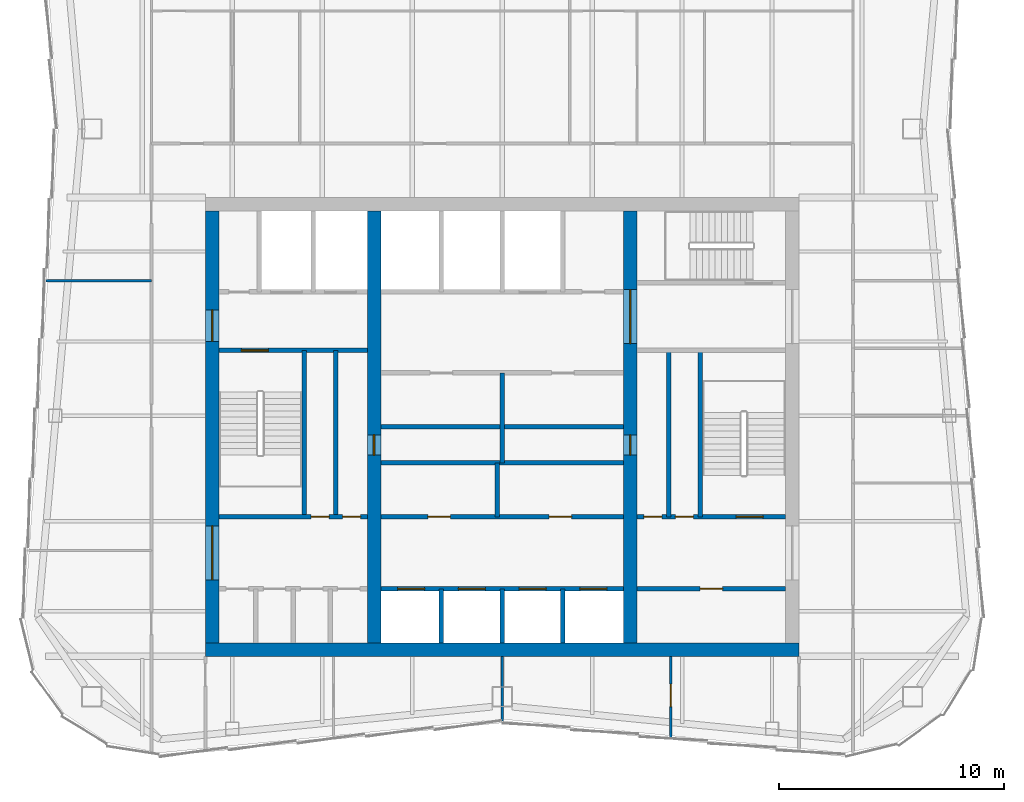
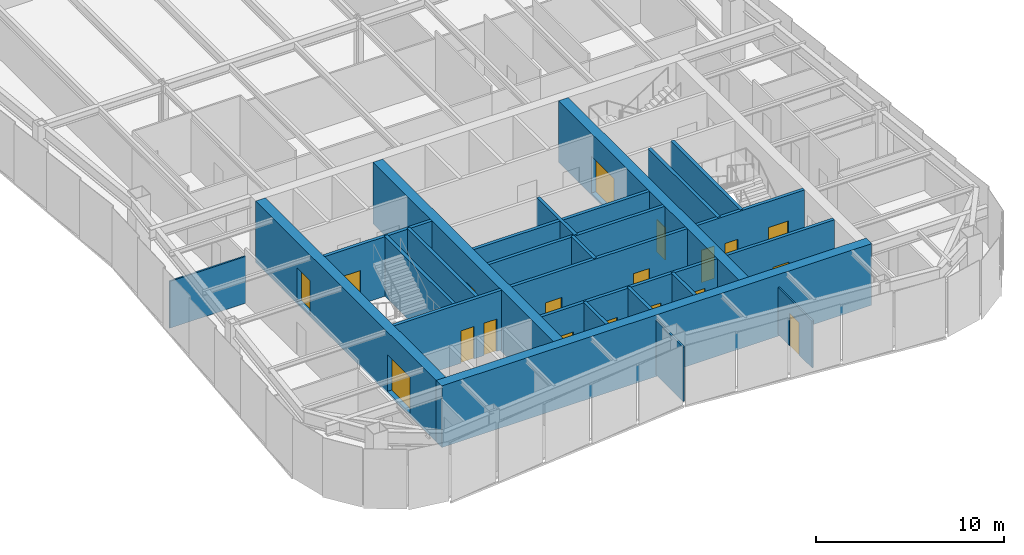
# One storey, part 6 of 11: 24 walls, 19 doors, 19 openings.
"""IFC4 building model written with IfcOpenShell, lengths in metres."""

from ifc_helpers import new_model, si_unit, direction, frame, frame_2d, origin, place, context, subcontext, project, spatial, rectangle, extrude, material, layer, layer_set, type_object, element, fill, save


model = new_model("IFC4")

# Units and contexts
model_context = context("Model", 3, precision=1e-05, world=origin(), true_north=direction((0.0, 1.0)))
body_context = subcontext(model_context, "Body", "Model", "MODEL_VIEW")
ifc_project = project(units=[si_unit("LENGTHUNIT", "METRE"), si_unit("AREAUNIT", "SQUARE_METRE"), si_unit("VOLUMEUNIT", "CUBIC_METRE"), si_unit("PLANEANGLEUNIT", "RADIAN"), si_unit("MASSUNIT", "GRAM", prefix="KILO")], contexts=[model_context])

# Site, building, storey
site_placement = place(None, origin())
site = spatial("IfcSite", under=ifc_project, at=site_placement, CompositionType="ELEMENT")
building_placement = place(site_placement, origin())
building = spatial("IfcBuilding", under=site, at=building_placement, Name="Verdant Reach Tower", CompositionType="ELEMENT")
storey_placement = place(building_placement, frame((0.0, 0.0, 298.0)))
storey = spatial("IfcBuildingStorey", under=building, at=storey_placement, Name="L68", CompositionType="ELEMENT", Elevation=298.0)

# Wall, opening, door
ifc_material_1 = material(Name="Gypsum board on steel studs", Category="steel")
ifc_layer_1 = layer(ifc_material_1, 0.199951171875)
ifc_layer_set_1 = layer_set([ifc_layer_1], Name="CO-WALL-ROOM")
wall_type_1 = type_object("IfcWallType", Name="CO-WALL-ROOM", PredefinedType="PARTITIONING", material=ifc_layer_set_1)
wall_1_placement = place(storey_placement, frame((6.0, 20.800048828125, 0.0), z_axis=(0.0, 0.0, 1.0), x_axis=(1.0, 0.0, 0.0)))
wall_1 = element("IfcWall", 1, at=wall_1_placement, inside=storey, type_object=wall_type_1, Name="Core partition, L68", PredefinedType="PARTITIONING", context=body_context, shape_type="SweptSolid", body=[
    extrude(rectangle(XDim=6.60009765625, YDim=0.199951171875, at=frame_2d((3.300048828125, 0.0))), origin(), (0.0, 0.0, 1.0), 3.8701171875),
])
opening_1_placement = place(wall_1_placement, frame((2.800048828125, 0.0, 0.0)))
opening_1 = element("IfcOpeningElement", 2, at=opening_1_placement, cuts=wall_1, Name="Opening CD", PredefinedType="OPENING", context=body_context, shape_type="SweptSolid", body=[
    extrude(rectangle(XDim=1.0, YDim=2.10009765625, at=frame_2d((0.5, 1.050048828125))), frame((0.0, 0.10986328125, 0.0), z_axis=(0.0, -1.0, 0.0), x_axis=(1.0, 0.0, 0.0)), (0.0, 0.0, 1.0), 0.219970703125),
])
ifc_material_2 = material(Name="Timber", Category="wood")
door_type_1 = type_object("IfcDoorType", Name="CO-DOOR-ROOM", OperationType="NOTDEFINED", PredefinedType="DOOR", material=ifc_material_2)
door_1_placement = place(opening_1_placement, origin())
door_1 = element("IfcDoor", 3, at=door_1_placement, inside=storey, type_object=door_type_1, Name="Core room door, L68", OperationType="SINGLE_SWING_LEFT", OverallHeight=2.10009765625, OverallWidth=1.0, PredefinedType="DOOR", context=body_context, shape_type="SweptSolid", body=[
    extrude(rectangle(XDim=1.0, YDim=2.10009765625, at=frame_2d((0.5, 1.050048828125))), frame((0.0, 0.02490234375, 0.0), z_axis=(0.0, -1.0, 0.0), x_axis=(1.0, 0.0, 0.0)), (0.0, 0.0, 1.0), 0.050048828125),
])
fill(opening_1, door_1)

# Wall, openings, doors
wall_2_placement = place(storey_placement, frame((-5.39990234375, 24.0, 0.0), z_axis=(0.0, 0.0, 1.0), x_axis=(1.0, 0.0, 0.0)))
wall_2 = element("IfcWall", 4, at=wall_2_placement, inside=storey, type_object=wall_type_1, Name="Core partition, L68", PredefinedType="PARTITIONING", context=body_context, shape_type="SweptSolid", body=[
    extrude(rectangle(XDim=10.7998046875, YDim=0.199951171875, at=frame_2d((5.39990234375, 0.0))), origin(), (0.0, 0.0, 1.0), 3.8701171875),
])
opening_2_placement = place(wall_2_placement, frame((2.092041015625, 0.0, 0.0)))
opening_2 = element("IfcOpeningElement", 5, at=opening_2_placement, cuts=wall_2, Name="Opening CD", PredefinedType="OPENING", context=body_context, shape_type="SweptSolid", body=[
    extrude(rectangle(XDim=1.0, YDim=2.10009765625, at=frame_2d((0.5, 1.050048828125))), frame((0.0, 0.10986328125, 0.0), z_axis=(0.0, -1.0, 0.0), x_axis=(1.0, 0.0, 0.0)), (0.0, 0.0, 1.0), 0.219970703125),
])
opening_3_placement = place(wall_2_placement, frame((7.491943359375, 0.0, 0.0)))
opening_3 = element("IfcOpeningElement", 6, at=opening_3_placement, cuts=wall_2, Name="Opening CD", PredefinedType="OPENING", context=body_context, shape_type="SweptSolid", body=[
    extrude(rectangle(XDim=1.0, YDim=2.10009765625, at=frame_2d((0.5, 1.050048828125))), frame((0.0, 0.10986328125, 0.0), z_axis=(0.0, -1.0, 0.0), x_axis=(1.0, 0.0, 0.0)), (0.0, 0.0, 1.0), 0.219970703125),
])
door_2_placement = place(opening_2_placement, origin())
door_2 = element("IfcDoor", 7, at=door_2_placement, inside=storey, type_object=door_type_1, Name="Core room door, L68", OperationType="SINGLE_SWING_RIGHT", OverallHeight=2.10009765625, OverallWidth=1.0, PredefinedType="DOOR", context=body_context, shape_type="SweptSolid", body=[
    extrude(rectangle(XDim=1.0, YDim=2.10009765625, at=frame_2d((0.5, 1.050048828125))), frame((0.0, 0.02490234375, 0.0), z_axis=(0.0, -1.0, 0.0), x_axis=(1.0, 0.0, 0.0)), (0.0, 0.0, 1.0), 0.050048828125),
])
fill(opening_2, door_2)
door_3_placement = place(opening_3_placement, origin())
door_3 = element("IfcDoor", 8, at=door_3_placement, inside=storey, type_object=door_type_1, Name="Core room door, L68", OperationType="SINGLE_SWING_LEFT", OverallHeight=2.10009765625, OverallWidth=1.0, PredefinedType="DOOR", context=body_context, shape_type="SweptSolid", body=[
    extrude(rectangle(XDim=1.0, YDim=2.10009765625, at=frame_2d((0.5, 1.050048828125))), frame((0.0, 0.02490234375, 0.0), z_axis=(0.0, -1.0, 0.0), x_axis=(1.0, 0.0, 0.0)), (0.0, 0.0, 1.0), 0.050048828125),
])
fill(opening_3, door_3)

# Walls
for number, where, z_axis, x_axis, name in (
    (9, (-5.39990234375, 26.39990234375, 0.0), (0.0, 0.0, 1.0), (1.0, 0.0, 0.0), "Core partition, L68"),
    (10, (-5.39990234375, 28.0, 0.0), (0.0, 0.0, 1.0), (1.0, 0.0, 0.0), "Core partition, L68"),
):
    element("IfcWall", number, at=place(storey_placement, frame(where, z_axis=z_axis, x_axis=x_axis)), inside=storey, type_object=wall_type_1, Name=name, PredefinedType="PARTITIONING", context=body_context, shape_type="SweptSolid", body=[
        extrude(rectangle(XDim=10.7998046875, YDim=0.199951171875, at=frame_2d((5.39990234375, 0.0))), origin(), (0.0, 0.0, 1.0), 3.8701171875),
    ])
wall_3_placement = place(storey_placement, frame((-7.39990234375, 24.0, 0.0), z_axis=(0.0, 0.0, 1.0), x_axis=(0.0, 1.0, 0.0)))
element("IfcWall", 11, at=wall_3_placement, inside=storey, type_object=wall_type_1, Name="Core partition, L68", PredefinedType="PARTITIONING", context=body_context, shape_type="SweptSolid", body=[
    extrude(rectangle(XDim=7.39990234375, YDim=0.199951171875, at=frame_2d((3.699951171875, 0.0))), origin(), (0.0, 0.0, 1.0), 3.8701171875),
])
wall_4_placement = place(storey_placement, frame((-0.216064453125, 24.0, 0.0), z_axis=(0.0, 0.0, 1.0), x_axis=(0.0, 1.0, 0.0)))
element("IfcWall", 12, at=wall_4_placement, inside=storey, type_object=wall_type_1, Name="Core partition, L68", PredefinedType="PARTITIONING", context=body_context, shape_type="SweptSolid", body=[
    extrude(rectangle(XDim=2.39990234375, YDim=0.199951171875, at=frame_2d((1.199951171875, 0.0))), origin(), (0.0, 0.0, 1.0), 3.8701171875),
])
wall_5_placement = place(storey_placement, frame((0.0, 26.39990234375, 0.0), z_axis=(0.0, 0.0, 1.0), x_axis=(0.0, 1.0, 0.0)))
element("IfcWall", 13, at=wall_5_placement, inside=storey, type_object=wall_type_1, Name="Core partition, L68", PredefinedType="PARTITIONING", context=body_context, shape_type="SweptSolid", body=[
    extrude(rectangle(XDim=4.0, YDim=0.199951171875, at=frame_2d((2.0, 0.0))), origin(), (0.0, 0.0, 1.0), 3.8701171875),
])
wall_6_placement = place(storey_placement, frame((7.39990234375, 24.0, 0.0), z_axis=(0.0, 0.0, 1.0), x_axis=(0.0, 1.0, 0.0)))
element("IfcWall", 14, at=wall_6_placement, inside=storey, type_object=wall_type_1, Name="Core partition, L68", PredefinedType="PARTITIONING", context=body_context, shape_type="SweptSolid", body=[
    extrude(rectangle(XDim=7.39990234375, YDim=0.199951171875, at=frame_2d((3.699951171875, 0.0))), origin(), (0.0, 0.0, 1.0), 3.8701171875),
])

# Wall, openings, doors
ifc_material_3 = material(Name="Concrete C40/50", Category="concrete")
ifc_layer_2 = layer(ifc_material_3, 0.199951171875)
ifc_layer_set_2 = layer_set([ifc_layer_2], Name="CO-WALL-SHAFT")
wall_type_2 = type_object("IfcWallType", Name="CO-WALL-SHAFT", PredefinedType="PARTITIONING", material=ifc_layer_set_2)
wall_7_placement = place(storey_placement, frame((-5.39990234375, 20.800048828125, 0.0), z_axis=(0.0, 0.0, 1.0), x_axis=(1.0, 0.0, 0.0)))
wall_7 = element("IfcWall", 15, at=wall_7_placement, inside=storey, type_object=wall_type_2, Name="Lift shaft wall, L68", PredefinedType="PARTITIONING", context=body_context, shape_type="SweptSolid", body=[
    extrude(rectangle(XDim=10.7998046875, YDim=0.199951171875, at=frame_2d((5.39990234375, 0.0))), origin(), (0.0, 0.0, 1.0), 3.8701171875),
])
opening_4_placement = place(wall_7_placement, frame((0.75, 0.0, 0.0)))
opening_4 = element("IfcOpeningElement", 16, at=opening_4_placement, cuts=wall_7, Name="Opening LD-B1", PredefinedType="OPENING", context=body_context, shape_type="SweptSolid", body=[
    extrude(rectangle(XDim=1.199951171875, YDim=2.199951171875, at=frame_2d((0.60009765625, 1.10009765625))), frame((0.0, 0.10986328125, 0.0), z_axis=(0.0, -1.0, 0.0), x_axis=(1.0, 0.0, 0.0)), (0.0, 0.0, 1.0), 0.219970703125),
])
opening_5_placement = place(wall_7_placement, frame((3.449951171875, 0.0, 0.0)))
opening_5 = element("IfcOpeningElement", 17, at=opening_5_placement, cuts=wall_7, Name="Opening LD-B2", PredefinedType="OPENING", context=body_context, shape_type="SweptSolid", body=[
    extrude(rectangle(XDim=1.199951171875, YDim=2.199951171875, at=frame_2d((0.60009765625, 1.10009765625))), frame((0.0, 0.10986328125, 0.0), z_axis=(0.0, -1.0, 0.0), x_axis=(1.0, 0.0, 0.0)), (0.0, 0.0, 1.0), 0.219970703125),
])
opening_6_placement = place(wall_7_placement, frame((6.14990234375, 0.0, 0.0)))
opening_6 = element("IfcOpeningElement", 18, at=opening_6_placement, cuts=wall_7, Name="Opening LD-B3", PredefinedType="OPENING", context=body_context, shape_type="SweptSolid", body=[
    extrude(rectangle(XDim=1.199951171875, YDim=2.199951171875, at=frame_2d((0.60009765625, 1.10009765625))), frame((0.0, 0.10986328125, 0.0), z_axis=(0.0, -1.0, 0.0), x_axis=(1.0, 0.0, 0.0)), (0.0, 0.0, 1.0), 0.219970703125),
])
opening_7_placement = place(wall_7_placement, frame((8.85009765625, 0.0, 0.0)))
opening_7 = element("IfcOpeningElement", 19, at=opening_7_placement, cuts=wall_7, Name="Opening LD-B4", PredefinedType="OPENING", context=body_context, shape_type="SweptSolid", body=[
    extrude(rectangle(XDim=1.199951171875, YDim=2.199951171875, at=frame_2d((0.60009765625, 1.10009765625))), frame((0.0, 0.10986328125, 0.0), z_axis=(0.0, -1.0, 0.0), x_axis=(1.0, 0.0, 0.0)), (0.0, 0.0, 1.0), 0.219970703125),
])
ifc_material_4 = material(Name="Stainless steel", Category="steel")
door_type_2 = type_object("IfcDoorType", Name="CO-DOOR-LANDING", OperationType="SLIDING_TO_LEFT", PredefinedType="DOOR", material=ifc_material_4)
door_4_placement = place(opening_4_placement, origin())
door_4 = element("IfcDoor", 20, at=door_4_placement, inside=storey, type_object=door_type_2, Name="Landing door B1, L68", OperationType="SLIDING_TO_LEFT", OverallHeight=2.199951171875, OverallWidth=1.199951171875, PredefinedType="DOOR", context=body_context, shape_type="SweptSolid", body=[
    extrude(rectangle(XDim=1.199951171875, YDim=2.199951171875, at=frame_2d((0.60009765625, 1.10009765625))), frame((0.0, 0.02490234375, 0.0), z_axis=(0.0, -1.0, 0.0), x_axis=(1.0, 0.0, 0.0)), (0.0, 0.0, 1.0), 0.050048828125),
])
fill(opening_4, door_4)
door_5_placement = place(opening_5_placement, origin())
door_5 = element("IfcDoor", 21, at=door_5_placement, inside=storey, type_object=door_type_2, Name="Landing door B2, L68", OperationType="SLIDING_TO_LEFT", OverallHeight=2.199951171875, OverallWidth=1.199951171875, PredefinedType="DOOR", context=body_context, shape_type="SweptSolid", body=[
    extrude(rectangle(XDim=1.199951171875, YDim=2.199951171875, at=frame_2d((0.60009765625, 1.10009765625))), frame((0.0, 0.02490234375, 0.0), z_axis=(0.0, -1.0, 0.0), x_axis=(1.0, 0.0, 0.0)), (0.0, 0.0, 1.0), 0.050048828125),
])
fill(opening_5, door_5)
door_6_placement = place(opening_6_placement, origin())
door_6 = element("IfcDoor", 22, at=door_6_placement, inside=storey, type_object=door_type_2, Name="Landing door B3, L68", OperationType="SLIDING_TO_LEFT", OverallHeight=2.199951171875, OverallWidth=1.199951171875, PredefinedType="DOOR", context=body_context, shape_type="SweptSolid", body=[
    extrude(rectangle(XDim=1.199951171875, YDim=2.199951171875, at=frame_2d((0.60009765625, 1.10009765625))), frame((0.0, 0.02490234375, 0.0), z_axis=(0.0, -1.0, 0.0), x_axis=(1.0, 0.0, 0.0)), (0.0, 0.0, 1.0), 0.050048828125),
])
fill(opening_6, door_6)
door_7_placement = place(opening_7_placement, origin())
door_7 = element("IfcDoor", 23, at=door_7_placement, inside=storey, type_object=door_type_2, Name="Landing door B4, L68", OperationType="SLIDING_TO_LEFT", OverallHeight=2.199951171875, OverallWidth=1.199951171875, PredefinedType="DOOR", context=body_context, shape_type="SweptSolid", body=[
    extrude(rectangle(XDim=1.199951171875, YDim=2.199951171875, at=frame_2d((0.60009765625, 1.10009765625))), frame((0.0, 0.02490234375, 0.0), z_axis=(0.0, -1.0, 0.0), x_axis=(1.0, 0.0, 0.0)), (0.0, 0.0, 1.0), 0.050048828125),
])
fill(opening_7, door_7)

# Walls
for number, where, z_axis, x_axis, name in (
    (24, (-2.699951171875, 18.39990234375, 0.0), (0.0, 0.0, 1.0), (0.0, 1.0, 0.0), "Lift shaft wall, L68"),
    (25, (0.0, 18.39990234375, 0.0), (0.0, 0.0, 1.0), (0.0, 1.0, 0.0), "Lift shaft wall, L68"),
    (26, (2.699951171875, 18.39990234375, 0.0), (0.0, 0.0, 1.0), (0.0, 1.0, 0.0), "Lift shaft wall, L68"),
):
    element("IfcWall", number, at=place(storey_placement, frame(where, z_axis=z_axis, x_axis=x_axis)), inside=storey, type_object=wall_type_2, Name=name, PredefinedType="PARTITIONING", context=body_context, shape_type="SweptSolid", body=[
        extrude(rectangle(XDim=2.400146484375, YDim=0.199951171875, at=frame_2d((1.2001953125, 0.0))), origin(), (0.0, 0.0, 1.0), 3.8701171875),
    ])

# Wall, openings, doors
ifc_layer_3 = layer(ifc_material_3, 0.199951171875)
ifc_layer_set_3 = layer_set([ifc_layer_3], Name="CO-WALL-STAIR")
wall_type_3 = type_object("IfcWallType", Name="CO-WALL-STAIR", PredefinedType="PARTITIONING", material=ifc_layer_set_3)
wall_8_placement = place(storey_placement, frame((-12.60009765625, 24.0, 0.0), z_axis=(0.0, 0.0, 1.0), x_axis=(1.0, 0.0, 0.0)))
wall_8 = element("IfcWall", 27, at=wall_8_placement, inside=storey, type_object=wall_type_3, Name="Stair enclosure wall, L68", PredefinedType="PARTITIONING", context=body_context, shape_type="SweptSolid", body=[
    extrude(rectangle(XDim=6.60009765625, YDim=0.199951171875, at=frame_2d((3.300048828125, 0.0))), origin(), (0.0, 0.0, 1.0), 3.8701171875),
])
opening_8_placement = place(wall_8_placement, frame((4.10009765625, 0.0, 0.0)))
opening_8 = element("IfcOpeningElement", 28, at=opening_8_placement, cuts=wall_8, Name="Opening CDN", PredefinedType="OPENING", context=body_context, shape_type="SweptSolid", body=[
    extrude(rectangle(XDim=0.800048828125, YDim=2.10009765625, at=frame_2d((0.39990234375, 1.050048828125))), frame((0.0, 0.10986328125, 0.0), z_axis=(0.0, -1.0, 0.0), x_axis=(1.0, 0.0, 0.0)), (0.0, 0.0, 1.0), 0.219970703125),
])
opening_9_placement = place(wall_8_placement, frame((5.5, 0.0, 0.0)))
opening_9 = element("IfcOpeningElement", 29, at=opening_9_placement, cuts=wall_8, Name="Opening CDN", PredefinedType="OPENING", context=body_context, shape_type="SweptSolid", body=[
    extrude(rectangle(XDim=0.800048828125, YDim=2.10009765625, at=frame_2d((0.39990234375, 1.050048828125))), frame((0.0, 0.10986328125, 0.0), z_axis=(0.0, -1.0, 0.0), x_axis=(1.0, 0.0, 0.0)), (0.0, 0.0, 1.0), 0.219970703125),
])
door_type_3 = type_object("IfcDoorType", Name="CO-DOOR-ROOM-NARROW", OperationType="NOTDEFINED", PredefinedType="DOOR", material=ifc_material_2)
door_8_placement = place(opening_8_placement, origin())
door_8 = element("IfcDoor", 30, at=door_8_placement, inside=storey, type_object=door_type_3, Name="Core room door, L68", OperationType="SINGLE_SWING_RIGHT", OverallHeight=2.10009765625, OverallWidth=0.800048828125, PredefinedType="DOOR", context=body_context, shape_type="SweptSolid", body=[
    extrude(rectangle(XDim=0.800048828125, YDim=2.10009765625, at=frame_2d((0.39990234375, 1.050048828125))), frame((0.0, 0.02490234375, 0.0), z_axis=(0.0, -1.0, 0.0), x_axis=(1.0, 0.0, 0.0)), (0.0, 0.0, 1.0), 0.050048828125),
])
fill(opening_8, door_8)
door_9_placement = place(opening_9_placement, origin())
door_9 = element("IfcDoor", 31, at=door_9_placement, inside=storey, type_object=door_type_3, Name="Core room door, L68", OperationType="SINGLE_SWING_LEFT", OverallHeight=2.10009765625, OverallWidth=0.800048828125, PredefinedType="DOOR", context=body_context, shape_type="SweptSolid", body=[
    extrude(rectangle(XDim=0.800048828125, YDim=2.10009765625, at=frame_2d((0.39990234375, 1.050048828125))), frame((0.0, 0.02490234375, 0.0), z_axis=(0.0, -1.0, 0.0), x_axis=(1.0, 0.0, 0.0)), (0.0, 0.0, 1.0), 0.050048828125),
])
fill(opening_9, door_9)

wall_9_placement = place(storey_placement, frame((6.0, 24.0, 0.0), z_axis=(0.0, 0.0, 1.0), x_axis=(1.0, 0.0, 0.0)))
wall_9 = element("IfcWall", 32, at=wall_9_placement, inside=storey, type_object=wall_type_3, Name="Stair enclosure wall, L68", PredefinedType="PARTITIONING", context=body_context, shape_type="SweptSolid", body=[
    extrude(rectangle(XDim=6.60009765625, YDim=0.199951171875, at=frame_2d((3.300048828125, 0.0))), origin(), (0.0, 0.0, 1.0), 3.8701171875),
])
opening_10_placement = place(wall_9_placement, frame((0.300048828125, 0.0, 0.0)))
opening_10 = element("IfcOpeningElement", 33, at=opening_10_placement, cuts=wall_9, Name="Opening CDN", PredefinedType="OPENING", context=body_context, shape_type="SweptSolid", body=[
    extrude(rectangle(XDim=0.800048828125, YDim=2.10009765625, at=frame_2d((0.39990234375, 1.050048828125))), frame((0.0, 0.10986328125, 0.0), z_axis=(0.0, -1.0, 0.0), x_axis=(1.0, 0.0, 0.0)), (0.0, 0.0, 1.0), 0.219970703125),
])
opening_11_placement = place(wall_9_placement, frame((1.699951171875, 0.0, 0.0)))
opening_11 = element("IfcOpeningElement", 34, at=opening_11_placement, cuts=wall_9, Name="Opening CDN", PredefinedType="OPENING", context=body_context, shape_type="SweptSolid", body=[
    extrude(rectangle(XDim=0.800048828125, YDim=2.10009765625, at=frame_2d((0.39990234375, 1.050048828125))), frame((0.0, 0.10986328125, 0.0), z_axis=(0.0, -1.0, 0.0), x_axis=(1.0, 0.0, 0.0)), (0.0, 0.0, 1.0), 0.219970703125),
])
opening_12_placement = place(wall_9_placement, frame((4.39990234375, 0.0, 0.0)))
opening_12 = element("IfcOpeningElement", 35, at=opening_12_placement, cuts=wall_9, Name="Opening SD", PredefinedType="OPENING", context=body_context, shape_type="SweptSolid", body=[
    extrude(rectangle(XDim=1.199951171875, YDim=2.199951171875, at=frame_2d((0.60009765625, 1.10009765625))), frame((0.0, 0.10986328125, 0.0), z_axis=(0.0, -1.0, 0.0), x_axis=(1.0, 0.0, 0.0)), (0.0, 0.0, 1.0), 0.219970703125),
])
door_10_placement = place(opening_10_placement, origin())
door_10 = element("IfcDoor", 36, at=door_10_placement, inside=storey, type_object=door_type_3, Name="Core room door, L68", OperationType="SINGLE_SWING_RIGHT", OverallHeight=2.10009765625, OverallWidth=0.800048828125, PredefinedType="DOOR", context=body_context, shape_type="SweptSolid", body=[
    extrude(rectangle(XDim=0.800048828125, YDim=2.10009765625, at=frame_2d((0.39990234375, 1.050048828125))), frame((0.0, 0.02490234375, 0.0), z_axis=(0.0, -1.0, 0.0), x_axis=(1.0, 0.0, 0.0)), (0.0, 0.0, 1.0), 0.050048828125),
])
fill(opening_10, door_10)
door_11_placement = place(opening_11_placement, origin())
door_11 = element("IfcDoor", 37, at=door_11_placement, inside=storey, type_object=door_type_3, Name="Core room door, L68", OperationType="SINGLE_SWING_LEFT", OverallHeight=2.10009765625, OverallWidth=0.800048828125, PredefinedType="DOOR", context=body_context, shape_type="SweptSolid", body=[
    extrude(rectangle(XDim=0.800048828125, YDim=2.10009765625, at=frame_2d((0.39990234375, 1.050048828125))), frame((0.0, 0.02490234375, 0.0), z_axis=(0.0, -1.0, 0.0), x_axis=(1.0, 0.0, 0.0)), (0.0, 0.0, 1.0), 0.050048828125),
])
fill(opening_11, door_11)
ifc_material_5 = material(Name="Steel", Category="steel")
door_type_4 = type_object("IfcDoorType", Name="CO-DOOR-STAIR", OperationType="NOTDEFINED", PredefinedType="DOOR", material=ifc_material_5)
door_12_placement = place(opening_12_placement, origin())
door_12 = element("IfcDoor", 38, at=door_12_placement, inside=storey, type_object=door_type_4, Name="Stair door, L68", OperationType="SINGLE_SWING_LEFT", OverallHeight=2.199951171875, OverallWidth=1.199951171875, PredefinedType="DOOR", context=body_context, shape_type="SweptSolid", body=[
    extrude(rectangle(XDim=1.199951171875, YDim=2.199951171875, at=frame_2d((0.60009765625, 1.10009765625))), frame((0.0, 0.02490234375, 0.0), z_axis=(0.0, -1.0, 0.0), x_axis=(1.0, 0.0, 0.0)), (0.0, 0.0, 1.0), 0.050048828125),
])
fill(opening_12, door_12)

# Wall, opening, door
wall_10_placement = place(storey_placement, frame((-12.60009765625, 31.39990234375, 0.0), z_axis=(0.0, 0.0, 1.0), x_axis=(1.0, 0.0, 0.0)))
wall_10 = element("IfcWall", 39, at=wall_10_placement, inside=storey, type_object=wall_type_3, Name="Stair enclosure wall, L68", PredefinedType="PARTITIONING", context=body_context, shape_type="SweptSolid", body=[
    extrude(rectangle(XDim=6.60009765625, YDim=0.199951171875, at=frame_2d((3.300048828125, 0.0))), origin(), (0.0, 0.0, 1.0), 3.8701171875),
])
opening_13_placement = place(wall_10_placement, frame((1.0, 0.0, 0.0)))
opening_13 = element("IfcOpeningElement", 40, at=opening_13_placement, cuts=wall_10, Name="Opening SD", PredefinedType="OPENING", context=body_context, shape_type="SweptSolid", body=[
    extrude(rectangle(XDim=1.199951171875, YDim=2.199951171875, at=frame_2d((0.60009765625, 1.10009765625))), frame((0.0, 0.10986328125, 0.0), z_axis=(0.0, -1.0, 0.0), x_axis=(1.0, 0.0, 0.0)), (0.0, 0.0, 1.0), 0.219970703125),
])
door_13_placement = place(opening_13_placement, origin())
door_13 = element("IfcDoor", 41, at=door_13_placement, inside=storey, type_object=door_type_4, Name="Stair door, L68", OperationType="SINGLE_SWING_RIGHT", OverallHeight=2.199951171875, OverallWidth=1.199951171875, PredefinedType="DOOR", context=body_context, shape_type="SweptSolid", body=[
    extrude(rectangle(XDim=1.199951171875, YDim=2.199951171875, at=frame_2d((0.60009765625, 1.10009765625))), frame((0.0, 0.02490234375, 0.0), z_axis=(0.0, -1.0, 0.0), x_axis=(1.0, 0.0, 0.0)), (0.0, 0.0, 1.0), 0.050048828125),
])
fill(opening_13, door_13)

# Walls
for number, where, z_axis, x_axis, name in (
    (42, (-8.800048828125, 24.0, 0.0), (0.0, 0.0, 1.0), (0.0, 1.0, 0.0), "Stair enclosure wall, L68"),
    (43, (8.800048828125, 24.0, 0.0), (0.0, 0.0, 1.0), (0.0, 1.0, 0.0), "Stair enclosure wall, L68"),
):
    element("IfcWall", number, at=place(storey_placement, frame(where, z_axis=z_axis, x_axis=x_axis)), inside=storey, type_object=wall_type_3, Name=name, PredefinedType="PARTITIONING", context=body_context, shape_type="SweptSolid", body=[
        extrude(rectangle(XDim=7.39990234375, YDim=0.199951171875, at=frame_2d((3.699951171875, 0.0))), origin(), (0.0, 0.0, 1.0), 3.8701171875),
    ])
ifc_layer_4 = layer(ifc_material_1, 0.10009765625)
ifc_layer_set_4 = layer_set([ifc_layer_4], Name="FL-W1 Partition 100")
wall_type_4 = type_object("IfcWallType", Name="FL-W1 Partition 100", PredefinedType="PARTITIONING", material=ifc_layer_set_4)
wall_11_placement = place(storey_placement, frame((-15.60009765625, 34.5, 0.0), z_axis=(0.0, 0.0, 1.0), x_axis=(-1.0, 0.0, 0.0)))
element("IfcWall", 44, at=wall_11_placement, inside=storey, type_object=wall_type_4, Name="Partition 68.18", PredefinedType="PARTITIONING", context=body_context, shape_type="SweptSolid", body=[
    extrude(rectangle(XDim=4.6953125, YDim=0.10009765625, at=frame_2d((2.34765625, 0.0))), origin(), (0.0, 0.0, 1.0), 3.0400390625),
])
wall_12_placement = place(storey_placement, frame((0.0, 14.919921875, 0.0), z_axis=(0.0, 0.0, 1.0), x_axis=(0.0, 1.0, 0.0)))
element("IfcWall", 45, at=wall_12_placement, inside=storey, type_object=wall_type_4, Name="Partition 68.30", PredefinedType="PARTITIONING", context=body_context, shape_type="SweptSolid", body=[
    extrude(rectangle(XDim=2.880126953125, YDim=0.10009765625, at=frame_2d((1.43994140625, 0.0))), origin(), (0.0, 0.0, 1.0), 3.5400390625),
])

# Wall, opening, door
wall_13_placement = place(storey_placement, frame((7.5, 14.182373046875, 0.0), z_axis=(0.0, 0.0, 1.0), x_axis=(0.0, 1.0, 0.0)))
wall_13 = element("IfcWall", 46, at=wall_13_placement, inside=storey, type_object=wall_type_4, Name="Partition 68.31", PredefinedType="PARTITIONING", context=body_context, shape_type="SweptSolid", body=[
    extrude(rectangle(XDim=3.61767578125, YDim=0.10009765625, at=frame_2d((1.808837890625, 0.0))), origin(), (0.0, 0.0, 1.0), 3.0400390625),
])
opening_14_placement = place(wall_13_placement, frame((1.3740234375, 0.0, 0.0)))
opening_14 = element("IfcOpeningElement", 47, at=opening_14_placement, cuts=wall_13, Name="Opening D3", PredefinedType="OPENING", context=body_context, shape_type="SweptSolid", body=[
    extrude(rectangle(XDim=1.0, YDim=2.10009765625, at=frame_2d((0.5, 1.050048828125))), frame((0.0, 0.06005859375, 0.0), z_axis=(0.0, -1.0, 0.0), x_axis=(1.0, 0.0, 0.0)), (0.0, 0.0, 1.0), 0.1201171875),
])
ifc_material_6 = material(Name="Painted timber door leaf", Category="wood")
door_type_5 = type_object("IfcDoorType", Name="FL-D3 Door 1000x2100", OperationType="NOTDEFINED", PredefinedType="DOOR", material=ifc_material_6)
door_14_placement = place(opening_14_placement, origin())
door_14 = element("IfcDoor", 48, at=door_14_placement, inside=storey, type_object=door_type_5, Name="Door 68-016", OperationType="SINGLE_SWING_RIGHT", OverallHeight=2.10009765625, OverallWidth=1.0, PredefinedType="DOOR", context=body_context, shape_type="SweptSolid", body=[
    extrude(rectangle(XDim=1.0, YDim=2.10009765625, at=frame_2d((0.5, 1.050048828125))), frame((0.0, 0.02490234375, 0.0), z_axis=(0.0, -1.0, 0.0), x_axis=(1.0, 0.0, 0.0)), (0.0, 0.0, 1.0), 0.050048828125),
])
fill(opening_14, door_14)

# Wall
ifc_material_7 = material(Name="Concrete C70/85", Category="concrete")
ifc_layer_5 = layer(ifc_material_7, 0.60009765625)
ifc_layer_set_5 = layer_set([ifc_layer_5], Name="ST-CORE-WALL-600")
wall_type_5 = type_object("IfcWallType", Name="ST-CORE-WALL-600", PredefinedType="SHEAR", material=ifc_layer_set_5)
wall_14_placement = place(storey_placement, frame((-13.199951171875, 18.10009765625, -0.1298828125), z_axis=(0.0, 0.0, 1.0), x_axis=(1.0, 0.0, 0.0)))
element("IfcWall", 49, at=wall_14_placement, inside=storey, type_object=wall_type_5, Name="Core wall S, L68", PredefinedType="SHEAR", context=body_context, shape_type="SweptSolid", body=[
    extrude(rectangle(XDim=26.39990234375, YDim=0.60009765625, at=frame_2d((13.199951171875, 0.0))), origin(), (0.0, 0.0, 1.0), 4.0),
])

# Wall, openings, doors
wall_15_placement = place(storey_placement, frame((-12.89990234375, 18.39990234375, -0.1298828125), z_axis=(0.0, 0.0, 1.0), x_axis=(0.0, 1.0, 0.0)))
wall_15 = element("IfcWall", 50, at=wall_15_placement, inside=storey, type_object=wall_type_5, Name="Core wall W, L68", PredefinedType="SHEAR", context=body_context, shape_type="SweptSolid", body=[
    extrude(rectangle(XDim=19.2001953125, YDim=0.60009765625, at=frame_2d((9.60009765625, 0.0))), origin(), (0.0, 0.0, 1.0), 4.0),
])
opening_15_placement = place(wall_15_placement, frame((2.800048828125, 0.0, 0.1298828125)))
opening_15 = element("IfcOpeningElement", 51, at=opening_15_placement, cuts=wall_15, Name="Opening LB", PredefinedType="OPENING", context=body_context, shape_type="SweptSolid", body=[
    extrude(rectangle(XDim=2.39990234375, YDim=2.39990234375, at=frame_2d((1.199951171875, 1.199951171875))), frame((0.0, 0.31005859375, 0.0), z_axis=(0.0, -1.0, 0.0), x_axis=(1.0, 0.0, 0.0)), (0.0, 0.0, 1.0), 0.6201171875),
])
opening_16_placement = place(wall_15_placement, frame((13.39990234375, 0.0, 0.1298828125)))
opening_16 = element("IfcOpeningElement", 52, at=opening_16_placement, cuts=wall_15, Name="Opening FL", PredefinedType="OPENING", context=body_context, shape_type="SweptSolid", body=[
    extrude(rectangle(XDim=1.39990234375, YDim=2.199951171875, at=frame_2d((0.699951171875, 1.10009765625))), frame((0.0, 0.31005859375, 0.0), z_axis=(0.0, -1.0, 0.0), x_axis=(1.0, 0.0, 0.0)), (0.0, 0.0, 1.0), 0.6201171875),
])
door_type_6 = type_object("IfcDoorType", Name="CO-DOOR-FFL", OperationType="NOTDEFINED", PredefinedType="DOOR", material=ifc_material_5)
door_15_placement = place(opening_16_placement, origin())
door_15 = element("IfcDoor", 53, at=door_15_placement, inside=storey, type_object=door_type_6, Name="Core entrance door, L68", OperationType="SINGLE_SWING_RIGHT", OverallHeight=2.199951171875, OverallWidth=1.39990234375, PredefinedType="DOOR", context=body_context, shape_type="SweptSolid", body=[
    extrude(rectangle(XDim=1.39990234375, YDim=2.199951171875, at=frame_2d((0.699951171875, 1.10009765625))), frame((0.0, 0.02490234375, 0.0), z_axis=(0.0, -1.0, 0.0), x_axis=(1.0, 0.0, 0.0)), (0.0, 0.0, 1.0), 0.050048828125),
])
fill(opening_16, door_15)
ifc_material_8 = material(Name="Glass and steel", Category="steel")
door_type_7 = type_object("IfcDoorType", Name="CO-DOOR-LOBBY", OperationType="DOUBLE_DOOR_SINGLE_SWING", PredefinedType="DOOR", material=ifc_material_8)
door_16_placement = place(opening_15_placement, origin())
door_16 = element("IfcDoor", 54, at=door_16_placement, inside=storey, type_object=door_type_7, Name="Core entrance door, L68", OperationType="DOUBLE_DOOR_SINGLE_SWING", OverallHeight=2.39990234375, OverallWidth=2.39990234375, PredefinedType="DOOR", context=body_context, shape_type="SweptSolid", body=[
    extrude(rectangle(XDim=2.39990234375, YDim=2.39990234375, at=frame_2d((1.199951171875, 1.199951171875))), frame((0.0, 0.02490234375, 0.0), z_axis=(0.0, -1.0, 0.0), x_axis=(1.0, 0.0, 0.0)), (0.0, 0.0, 1.0), 0.050048828125),
])
fill(opening_15, door_16)

# Wall, opening, door
wall_16_placement = place(storey_placement, frame((-5.699951171875, 18.39990234375, -0.1298828125), z_axis=(0.0, 0.0, 1.0), x_axis=(0.0, 1.0, 0.0)))
wall_16 = element("IfcWall", 55, at=wall_16_placement, inside=storey, type_object=wall_type_5, Name="Core wall XW, L68", PredefinedType="SHEAR", context=body_context, shape_type="SweptSolid", body=[
    extrude(rectangle(XDim=19.2001953125, YDim=0.60009765625, at=frame_2d((9.60009765625, 0.0))), origin(), (0.0, 0.0, 1.0), 4.0),
])
opening_17_placement = place(wall_16_placement, frame((8.35009765625, 0.0, 0.1298828125)))
opening_17 = element("IfcOpeningElement", 56, at=opening_17_placement, cuts=wall_16, Name="Opening RD", PredefinedType="OPENING", context=body_context, shape_type="SweptSolid", body=[
    extrude(rectangle(XDim=0.89990234375, YDim=2.10009765625, at=frame_2d((0.449951171875, 1.050048828125))), frame((0.0, 0.31005859375, 0.0), z_axis=(0.0, -1.0, 0.0), x_axis=(1.0, 0.0, 0.0)), (0.0, 0.0, 1.0), 0.6201171875),
])
door_type_8 = type_object("IfcDoorType", Name="CO-DOOR-RISER", OperationType="NOTDEFINED", PredefinedType="DOOR", material=ifc_material_5)
door_17_placement = place(opening_17_placement, origin())
door_17 = element("IfcDoor", 57, at=door_17_placement, inside=storey, type_object=door_type_8, Name="Riser door, L68", OperationType="SINGLE_SWING_LEFT", OverallHeight=2.10009765625, OverallWidth=0.89990234375, PredefinedType="DOOR", context=body_context, shape_type="SweptSolid", body=[
    extrude(rectangle(XDim=0.89990234375, YDim=2.10009765625, at=frame_2d((0.449951171875, 1.050048828125))), frame((0.0, 0.02490234375, 0.0), z_axis=(0.0, -1.0, 0.0), x_axis=(1.0, 0.0, 0.0)), (0.0, 0.0, 1.0), 0.050048828125),
])
fill(opening_17, door_17)

# Wall, openings, doors
wall_17_placement = place(storey_placement, frame((5.699951171875, 18.39990234375, -0.1298828125), z_axis=(0.0, 0.0, 1.0), x_axis=(0.0, 1.0, 0.0)))
wall_17 = element("IfcWall", 58, at=wall_17_placement, inside=storey, type_object=wall_type_5, Name="Core wall XE, L68", PredefinedType="SHEAR", context=body_context, shape_type="SweptSolid", body=[
    extrude(rectangle(XDim=19.2001953125, YDim=0.60009765625, at=frame_2d((9.60009765625, 0.0))), origin(), (0.0, 0.0, 1.0), 4.0),
])
opening_18_placement = place(wall_17_placement, frame((8.35009765625, 0.0, 0.1298828125)))
opening_18 = element("IfcOpeningElement", 59, at=opening_18_placement, cuts=wall_17, Name="Opening RD", PredefinedType="OPENING", context=body_context, shape_type="SweptSolid", body=[
    extrude(rectangle(XDim=0.89990234375, YDim=2.10009765625, at=frame_2d((0.449951171875, 1.050048828125))), frame((0.0, 0.31005859375, 0.0), z_axis=(0.0, -1.0, 0.0), x_axis=(1.0, 0.0, 0.0)), (0.0, 0.0, 1.0), 0.6201171875),
])
opening_19_placement = place(wall_17_placement, frame((13.300048828125, 0.0, 0.1298828125)))
opening_19 = element("IfcOpeningElement", 60, at=opening_19_placement, cuts=wall_17, Name="Opening LB", PredefinedType="OPENING", context=body_context, shape_type="SweptSolid", body=[
    extrude(rectangle(XDim=2.39990234375, YDim=2.39990234375, at=frame_2d((1.199951171875, 1.199951171875))), frame((0.0, 0.31005859375, 0.0), z_axis=(0.0, -1.0, 0.0), x_axis=(1.0, 0.0, 0.0)), (0.0, 0.0, 1.0), 0.6201171875),
])
door_18_placement = place(opening_19_placement, origin())
door_18 = element("IfcDoor", 61, at=door_18_placement, inside=storey, type_object=door_type_7, Name="Core entrance door, L68", OperationType="DOUBLE_DOOR_SINGLE_SWING", OverallHeight=2.39990234375, OverallWidth=2.39990234375, PredefinedType="DOOR", context=body_context, shape_type="SweptSolid", body=[
    extrude(rectangle(XDim=2.39990234375, YDim=2.39990234375, at=frame_2d((1.199951171875, 1.199951171875))), frame((0.0, 0.02490234375, 0.0), z_axis=(0.0, -1.0, 0.0), x_axis=(1.0, 0.0, 0.0)), (0.0, 0.0, 1.0), 0.050048828125),
])
fill(opening_19, door_18)
door_19_placement = place(opening_18_placement, origin())
door_19 = element("IfcDoor", 62, at=door_19_placement, inside=storey, type_object=door_type_8, Name="Riser door, L68", OperationType="SINGLE_SWING_RIGHT", OverallHeight=2.10009765625, OverallWidth=0.89990234375, PredefinedType="DOOR", context=body_context, shape_type="SweptSolid", body=[
    extrude(rectangle(XDim=0.89990234375, YDim=2.10009765625, at=frame_2d((0.449951171875, 1.050048828125))), frame((0.0, 0.02490234375, 0.0), z_axis=(0.0, -1.0, 0.0), x_axis=(1.0, 0.0, 0.0)), (0.0, 0.0, 1.0), 0.050048828125),
])
fill(opening_18, door_19)

save(model, "model.ifc")
